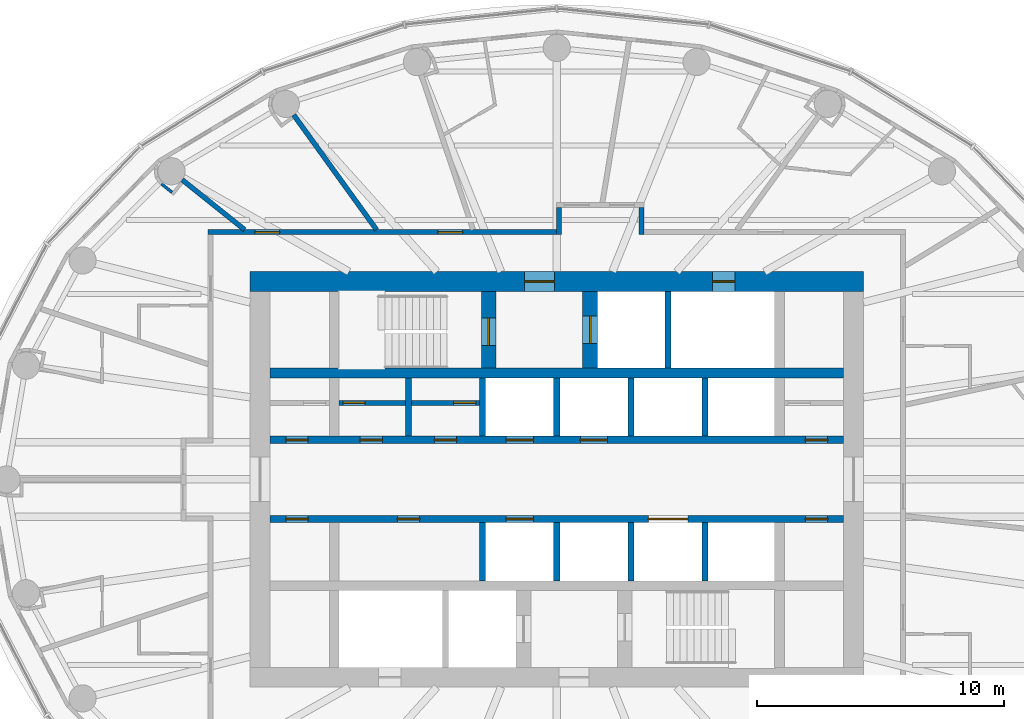
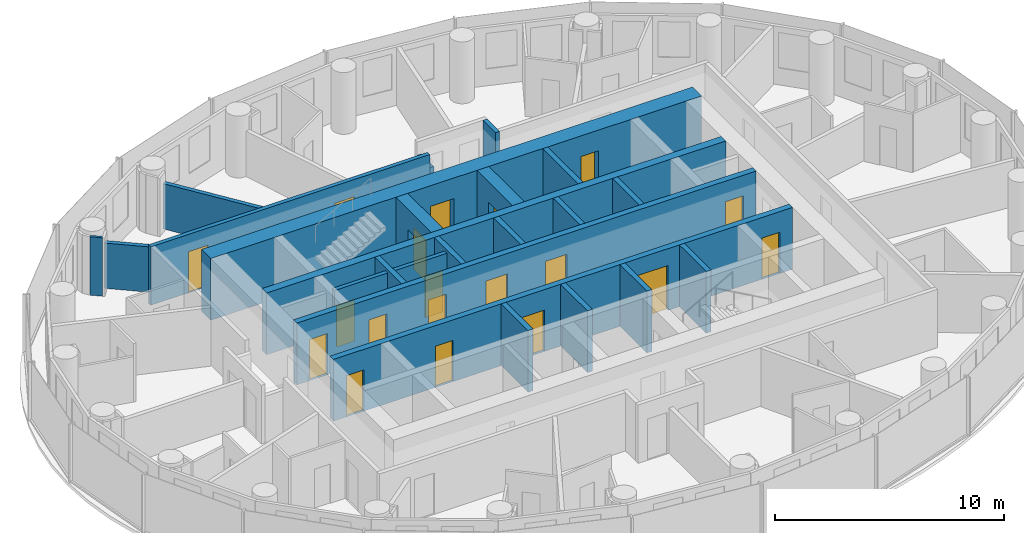
# One storey, part 9 of 13: 24 walls, 19 doors, 19 openings.
"""IFC4 building model written with IfcOpenShell, lengths in metres."""

from ifc_helpers import new_model, si_unit, direction, frame, frame_2d, origin, place, context, subcontext, project, spatial, rectangle, extrude, material, layer, layer_set, type_object, element, fill, save


model = new_model("IFC4")

# Units and contexts
model_context = context("Model", 3, precision=1e-05, world=origin(), true_north=direction((0.0, 1.0)))
body_context = subcontext(model_context, "Body", "Model", "MODEL_VIEW")
ifc_project = project(units=[si_unit("LENGTHUNIT", "METRE"), si_unit("AREAUNIT", "SQUARE_METRE"), si_unit("VOLUMEUNIT", "CUBIC_METRE"), si_unit("PLANEANGLEUNIT", "RADIAN"), si_unit("MASSUNIT", "GRAM", prefix="KILO")], contexts=[model_context])

# Site, building, storey
site_placement = place(None, origin())
site = spatial("IfcSite", under=ifc_project, at=site_placement, CompositionType="ELEMENT")
building_placement = place(site_placement, origin())
building = spatial("IfcBuilding", under=site, at=building_placement, Name="Hankou Lantern Tower", CompositionType="ELEMENT")
storey_placement = place(building_placement, frame((0.0, 0.0, 159.89990234375)))
storey = spatial("IfcBuildingStorey", under=building, at=storey_placement, Name="L42", CompositionType="ELEMENT", Elevation=159.89990234375)

# Wall, openings, doors
ifc_material_1 = material(Name="Concrete C60", Category="concrete")
ifc_layer_1 = layer(ifc_material_1, 0.800048828125)
ifc_layer_set_1 = layer_set([ifc_layer_1], Name="Concrete C60")
wall_type_1 = type_object("IfcWallType", Name="CW2 CORE WALL 800", PredefinedType="SHEAR", material=ifc_layer_set_1)
wall_1_placement = place(storey_placement, frame((-12.39990234375, 8.0, 0.0), z_axis=(0.0, 0.0, 1.0), x_axis=(1.0, 0.0, 0.0)))
wall_1 = element("IfcWall", 1, at=wall_1_placement, inside=storey, type_object=wall_type_1, Name="Core wall north L42", PredefinedType="SHEAR", context=body_context, shape_type="SweptSolid", body=[
    extrude(rectangle(XDim=24.7998046875, YDim=0.800048828125, at=frame_2d((12.39990234375, 0.0))), origin(), (0.0, 0.0, 1.0), 3.300048828125),
])
opening_1_placement = place(wall_1_placement, frame((11.10009765625, 0.0, 0.0)))
opening_1 = element("IfcOpeningElement", 2, at=opening_1_placement, cuts=wall_1, Name="Opening D5", PredefinedType="OPENING", context=body_context, shape_type="SweptSolid", body=[
    extrude(rectangle(XDim=1.199951171875, YDim=2.199951171875, at=frame_2d((0.60009765625, 1.10009765625))), frame((0.0, 0.409912109375, 0.0), z_axis=(0.0, -1.0, 0.0), x_axis=(1.0, 0.0, 0.0)), (0.0, 0.0, 1.0), 0.820068359375),
])
opening_2_placement = place(wall_1_placement, frame((18.699951171875, 0.0, 0.0)))
opening_2 = element("IfcOpeningElement", 3, at=opening_2_placement, cuts=wall_1, Name="Opening D7", PredefinedType="OPENING", context=body_context, shape_type="SweptSolid", body=[
    extrude(rectangle(XDim=0.89990234375, YDim=2.199951171875, at=frame_2d((0.449951171875, 1.10009765625))), frame((0.0, 0.409912109375, 0.0), z_axis=(0.0, -1.0, 0.0), x_axis=(1.0, 0.0, 0.0)), (0.0, 0.0, 1.0), 0.820068359375),
])
ifc_material_2 = material(Name="Steel door leaf", Category="steel")
door_type_1 = type_object("IfcDoorType", Name="D5 STAIR LOBBY DOOR 1200X2200", OperationType="SINGLE_SWING_LEFT", PredefinedType="DOOR", material=ifc_material_2)
door_1_placement = place(opening_1_placement, origin())
door_1 = element("IfcDoor", 4, at=door_1_placement, inside=storey, type_object=door_type_1, Name="Stair A lobby door", OperationType="SINGLE_SWING_LEFT", OverallHeight=2.199951171875, OverallWidth=1.199951171875, PredefinedType="DOOR", context=body_context, shape_type="SweptSolid", body=[
    extrude(rectangle(XDim=1.199951171875, YDim=2.199951171875, at=frame_2d((0.60009765625, 1.10009765625))), frame((0.0, 0.02490234375, 0.0), z_axis=(0.0, -1.0, 0.0), x_axis=(1.0, 0.0, 0.0)), (0.0, 0.0, 1.0), 0.050048828125),
])
fill(opening_1, door_1)
ifc_material_3 = material(Name="Steel door leaf", Category="steel")
door_type_2 = type_object("IfcDoorType", Name="D7 RISER DOOR 900X2200", OperationType="SINGLE_SWING_LEFT", PredefinedType="DOOR", material=ifc_material_3)
door_2_placement = place(opening_2_placement, origin())
door_2 = element("IfcDoor", 5, at=door_2_placement, inside=storey, type_object=door_type_2, Name="Riser N1 door", OperationType="SINGLE_SWING_RIGHT", OverallHeight=2.199951171875, OverallWidth=0.89990234375, PredefinedType="DOOR", context=body_context, shape_type="SweptSolid", body=[
    extrude(rectangle(XDim=0.89990234375, YDim=2.199951171875, at=frame_2d((0.449951171875, 1.10009765625))), frame((0.0, 0.02490234375, 0.0), z_axis=(0.0, -1.0, 0.0), x_axis=(1.0, 0.0, 0.0)), (0.0, 0.0, 1.0), 0.050048828125),
])
fill(opening_2, door_2)

# Wall
ifc_material_4 = material(Name="Concrete C60", Category="concrete")
ifc_layer_2 = layer(ifc_material_4, 0.39990234375)
ifc_layer_set_2 = layer_set([ifc_layer_2], Name="Concrete C60")
wall_type_2 = type_object("IfcWallType", Name="CW4 CORE CROSS WALL 400", PredefinedType="SHEAR", material=ifc_layer_set_2)
wall_2_placement = place(storey_placement, frame((-11.60009765625, 4.300048828125, 0.0), z_axis=(0.0, 0.0, 1.0), x_axis=(1.0, 0.0, 0.0)))
element("IfcWall", 6, at=wall_2_placement, inside=storey, type_object=wall_type_2, Name="Core band wall north L42", PredefinedType="SHEAR", context=body_context, shape_type="SweptSolid", body=[
    extrude(rectangle(XDim=23.2001953125, YDim=0.39990234375, at=frame_2d((11.60009765625, 0.0))), origin(), (0.0, 0.0, 1.0), 3.300048828125),
])

# Wall, openings, doors
ifc_material_5 = material(Name="Concrete C60", Category="concrete")
ifc_layer_3 = layer(ifc_material_5, 0.300048828125)
ifc_layer_set_3 = layer_set([ifc_layer_3], Name="Concrete C60")
wall_type_3 = type_object("IfcWallType", Name="CW5 LIFT LOBBY WALL 300", PredefinedType="SHEAR", material=ifc_layer_set_3)
wall_3_placement = place(storey_placement, frame((-11.60009765625, 1.60009765625, 0.0), z_axis=(0.0, 0.0, 1.0), x_axis=(1.0, 0.0, 0.0)))
wall_3 = element("IfcWall", 7, at=wall_3_placement, inside=storey, type_object=wall_type_3, Name="Lift lobby wall north L42", PredefinedType="SHEAR", context=body_context, shape_type="SweptSolid", body=[
    extrude(rectangle(XDim=23.2001953125, YDim=0.300048828125, at=frame_2d((11.60009765625, 0.0))), origin(), (0.0, 0.0, 1.0), 3.300048828125),
])
opening_3_placement = place(wall_3_placement, frame((9.550048828125, 0.0, 0.0)))
opening_3 = element("IfcOpeningElement", 8, at=opening_3_placement, cuts=wall_3, Name="Opening LD1", PredefinedType="OPENING", context=body_context, shape_type="SweptSolid", body=[
    extrude(rectangle(XDim=1.10009765625, YDim=2.199951171875, at=frame_2d((0.550048828125, 1.10009765625))), frame((0.0, 0.159912109375, 0.0), z_axis=(0.0, -1.0, 0.0), x_axis=(1.0, 0.0, 0.0)), (0.0, 0.0, 1.0), 0.320068359375),
])
opening_4_placement = place(wall_3_placement, frame((12.550048828125, 0.0, 0.0)))
opening_4 = element("IfcOpeningElement", 9, at=opening_4_placement, cuts=wall_3, Name="Opening LD1", PredefinedType="OPENING", context=body_context, shape_type="SweptSolid", body=[
    extrude(rectangle(XDim=1.10009765625, YDim=2.199951171875, at=frame_2d((0.550048828125, 1.10009765625))), frame((0.0, 0.159912109375, 0.0), z_axis=(0.0, -1.0, 0.0), x_axis=(1.0, 0.0, 0.0)), (0.0, 0.0, 1.0), 0.320068359375),
])
opening_5_placement = place(wall_3_placement, frame((0.64990234375, 0.0, 0.0)))
opening_5 = element("IfcOpeningElement", 10, at=opening_5_placement, cuts=wall_3, Name="Opening D30", PredefinedType="OPENING", context=body_context, shape_type="SweptSolid", body=[
    extrude(rectangle(XDim=0.89990234375, YDim=2.199951171875, at=frame_2d((0.449951171875, 1.10009765625))), frame((0.0, 0.159912109375, 0.0), z_axis=(0.0, -1.0, 0.0), x_axis=(1.0, 0.0, 0.0)), (0.0, 0.0, 1.0), 0.320068359375),
])
opening_6_placement = place(wall_3_placement, frame((21.64990234375, 0.0, 0.0)))
opening_6 = element("IfcOpeningElement", 11, at=opening_6_placement, cuts=wall_3, Name="Opening D30", PredefinedType="OPENING", context=body_context, shape_type="SweptSolid", body=[
    extrude(rectangle(XDim=0.89990234375, YDim=2.199951171875, at=frame_2d((0.449951171875, 1.10009765625))), frame((0.0, 0.159912109375, 0.0), z_axis=(0.0, -1.0, 0.0), x_axis=(1.0, 0.0, 0.0)), (0.0, 0.0, 1.0), 0.320068359375),
])
opening_7_placement = place(wall_3_placement, frame((3.64990234375, 0.0, 0.0)))
opening_7 = element("IfcOpeningElement", 12, at=opening_7_placement, cuts=wall_3, Name="Opening D30", PredefinedType="OPENING", context=body_context, shape_type="SweptSolid", body=[
    extrude(rectangle(XDim=0.89990234375, YDim=2.199951171875, at=frame_2d((0.449951171875, 1.10009765625))), frame((0.0, 0.159912109375, 0.0), z_axis=(0.0, -1.0, 0.0), x_axis=(1.0, 0.0, 0.0)), (0.0, 0.0, 1.0), 0.320068359375),
])
opening_8_placement = place(wall_3_placement, frame((6.64990234375, 0.0, 0.0)))
opening_8 = element("IfcOpeningElement", 13, at=opening_8_placement, cuts=wall_3, Name="Opening D30", PredefinedType="OPENING", context=body_context, shape_type="SweptSolid", body=[
    extrude(rectangle(XDim=0.89990234375, YDim=2.199951171875, at=frame_2d((0.449951171875, 1.10009765625))), frame((0.0, 0.159912109375, 0.0), z_axis=(0.0, -1.0, 0.0), x_axis=(1.0, 0.0, 0.0)), (0.0, 0.0, 1.0), 0.320068359375),
])
ifc_material_6 = material(Name="Steel door leaf", Category="steel")
door_type_3 = type_object("IfcDoorType", Name="D30 CORE ROOM DOOR 900X2200", OperationType="SINGLE_SWING_LEFT", PredefinedType="DOOR", material=ifc_material_6)
door_3_placement = place(opening_5_placement, origin())
door_3 = element("IfcDoor", 14, at=door_3_placement, inside=storey, type_object=door_type_3, Name="Engineering store door", OperationType="SINGLE_SWING_LEFT", OverallHeight=2.199951171875, OverallWidth=0.89990234375, PredefinedType="DOOR", context=body_context, shape_type="SweptSolid", body=[
    extrude(rectangle(XDim=0.89990234375, YDim=2.199951171875, at=frame_2d((0.449951171875, 1.10009765625))), frame((0.0, 0.02490234375, 0.0), z_axis=(0.0, -1.0, 0.0), x_axis=(1.0, 0.0, 0.0)), (0.0, 0.0, 1.0), 0.050048828125),
])
fill(opening_5, door_3)
door_4_placement = place(opening_6_placement, origin())
door_4 = element("IfcDoor", 15, at=door_4_placement, inside=storey, type_object=door_type_3, Name="Cleaner's store door", OperationType="SINGLE_SWING_RIGHT", OverallHeight=2.199951171875, OverallWidth=0.89990234375, PredefinedType="DOOR", context=body_context, shape_type="SweptSolid", body=[
    extrude(rectangle(XDim=0.89990234375, YDim=2.199951171875, at=frame_2d((0.449951171875, 1.10009765625))), frame((0.0, 0.02490234375, 0.0), z_axis=(0.0, -1.0, 0.0), x_axis=(1.0, 0.0, 0.0)), (0.0, 0.0, 1.0), 0.050048828125),
])
fill(opening_6, door_4)
door_5_placement = place(opening_7_placement, origin())
door_5 = element("IfcDoor", 16, at=door_5_placement, inside=storey, type_object=door_type_3, Name="Guest pantry and ice room door", OperationType="SINGLE_SWING_LEFT", OverallHeight=2.199951171875, OverallWidth=0.89990234375, PredefinedType="DOOR", context=body_context, shape_type="SweptSolid", body=[
    extrude(rectangle(XDim=0.89990234375, YDim=2.199951171875, at=frame_2d((0.449951171875, 1.10009765625))), frame((0.0, 0.02490234375, 0.0), z_axis=(0.0, -1.0, 0.0), x_axis=(1.0, 0.0, 0.0)), (0.0, 0.0, 1.0), 0.050048828125),
])
fill(opening_7, door_5)
door_6_placement = place(opening_8_placement, origin())
door_6 = element("IfcDoor", 17, at=door_6_placement, inside=storey, type_object=door_type_3, Name="Room service pantry door", OperationType="SINGLE_SWING_LEFT", OverallHeight=2.199951171875, OverallWidth=0.89990234375, PredefinedType="DOOR", context=body_context, shape_type="SweptSolid", body=[
    extrude(rectangle(XDim=0.89990234375, YDim=2.199951171875, at=frame_2d((0.449951171875, 1.10009765625))), frame((0.0, 0.02490234375, 0.0), z_axis=(0.0, -1.0, 0.0), x_axis=(1.0, 0.0, 0.0)), (0.0, 0.0, 1.0), 0.050048828125),
])
fill(opening_8, door_6)
ifc_material_7 = material(Name="Steel door leaf", Category="steel")
door_type_4 = type_object("IfcDoorType", Name="LD1 LIFT LANDING DOOR 1100X2200", OperationType="DOUBLE_DOOR_SLIDING", PredefinedType="DOOR", material=ifc_material_7)
door_7_placement = place(opening_3_placement, origin())
door_7 = element("IfcDoor", 18, at=door_7_placement, inside=storey, type_object=door_type_4, Name="Lift H1 landing door", OperationType="DOUBLE_DOOR_SLIDING", OverallHeight=2.199951171875, OverallWidth=1.10009765625, PredefinedType="DOOR", context=body_context, shape_type="SweptSolid", body=[
    extrude(rectangle(XDim=1.10009765625, YDim=2.199951171875, at=frame_2d((0.550048828125, 1.10009765625))), frame((0.0, 0.02490234375, 0.0), z_axis=(0.0, -1.0, 0.0), x_axis=(1.0, 0.0, 0.0)), (0.0, 0.0, 1.0), 0.050048828125),
])
fill(opening_3, door_7)
door_8_placement = place(opening_4_placement, origin())
door_8 = element("IfcDoor", 19, at=door_8_placement, inside=storey, type_object=door_type_4, Name="Lift H2 landing door", OperationType="DOUBLE_DOOR_SLIDING", OverallHeight=2.199951171875, OverallWidth=1.10009765625, PredefinedType="DOOR", context=body_context, shape_type="SweptSolid", body=[
    extrude(rectangle(XDim=1.10009765625, YDim=2.199951171875, at=frame_2d((0.550048828125, 1.10009765625))), frame((0.0, 0.02490234375, 0.0), z_axis=(0.0, -1.0, 0.0), x_axis=(1.0, 0.0, 0.0)), (0.0, 0.0, 1.0), 0.050048828125),
])
fill(opening_4, door_8)

wall_4_placement = place(storey_placement, frame((-11.60009765625, -1.60009765625, 0.0), z_axis=(0.0, 0.0, 1.0), x_axis=(1.0, 0.0, 0.0)))
wall_4 = element("IfcWall", 20, at=wall_4_placement, inside=storey, type_object=wall_type_3, Name="Lift lobby wall south L42", PredefinedType="SHEAR", context=body_context, shape_type="SweptSolid", body=[
    extrude(rectangle(XDim=23.2001953125, YDim=0.300048828125, at=frame_2d((11.60009765625, 0.0))), origin(), (0.0, 0.0, 1.0), 3.300048828125),
])
opening_9_placement = place(wall_4_placement, frame((9.550048828125, 0.0, 0.0)))
opening_9 = element("IfcOpeningElement", 21, at=opening_9_placement, cuts=wall_4, Name="Opening LD1", PredefinedType="OPENING", context=body_context, shape_type="SweptSolid", body=[
    extrude(rectangle(XDim=1.10009765625, YDim=2.199951171875, at=frame_2d((0.550048828125, 1.10009765625))), frame((0.0, 0.159912109375, 0.0), z_axis=(0.0, -1.0, 0.0), x_axis=(1.0, 0.0, 0.0)), (0.0, 0.0, 1.0), 0.320068359375),
])
opening_10_placement = place(wall_4_placement, frame((15.300048828125, 0.0, 0.0)))
opening_10 = element("IfcOpeningElement", 22, at=opening_10_placement, cuts=wall_4, Name="Opening LD4", PredefinedType="OPENING", context=body_context, shape_type="SweptSolid", body=[
    extrude(rectangle(XDim=1.60009765625, YDim=2.39990234375, at=frame_2d((0.800048828125, 1.199951171875))), frame((0.0, 0.159912109375, 0.0), z_axis=(0.0, -1.0, 0.0), x_axis=(1.0, 0.0, 0.0)), (0.0, 0.0, 1.0), 0.320068359375),
])
opening_11_placement = place(wall_4_placement, frame((0.64990234375, 0.0, 0.0)))
opening_11 = element("IfcOpeningElement", 23, at=opening_11_placement, cuts=wall_4, Name="Opening D30", PredefinedType="OPENING", context=body_context, shape_type="SweptSolid", body=[
    extrude(rectangle(XDim=0.89990234375, YDim=2.199951171875, at=frame_2d((0.449951171875, 1.10009765625))), frame((0.0, 0.159912109375, 0.0), z_axis=(0.0, -1.0, 0.0), x_axis=(1.0, 0.0, 0.0)), (0.0, 0.0, 1.0), 0.320068359375),
])
opening_12_placement = place(wall_4_placement, frame((5.14990234375, 0.0, 0.0)))
opening_12 = element("IfcOpeningElement", 24, at=opening_12_placement, cuts=wall_4, Name="Opening D30", PredefinedType="OPENING", context=body_context, shape_type="SweptSolid", body=[
    extrude(rectangle(XDim=0.89990234375, YDim=2.199951171875, at=frame_2d((0.449951171875, 1.10009765625))), frame((0.0, 0.159912109375, 0.0), z_axis=(0.0, -1.0, 0.0), x_axis=(1.0, 0.0, 0.0)), (0.0, 0.0, 1.0), 0.320068359375),
])
opening_13_placement = place(wall_4_placement, frame((21.64990234375, 0.0, 0.0)))
opening_13 = element("IfcOpeningElement", 25, at=opening_13_placement, cuts=wall_4, Name="Opening D30", PredefinedType="OPENING", context=body_context, shape_type="SweptSolid", body=[
    extrude(rectangle(XDim=0.89990234375, YDim=2.199951171875, at=frame_2d((0.449951171875, 1.10009765625))), frame((0.0, 0.159912109375, 0.0), z_axis=(0.0, -1.0, 0.0), x_axis=(1.0, 0.0, 0.0)), (0.0, 0.0, 1.0), 0.320068359375),
])
door_9_placement = place(opening_11_placement, origin())
door_9 = element("IfcDoor", 26, at=door_9_placement, inside=storey, type_object=door_type_3, Name="Minibar store door", OperationType="SINGLE_SWING_LEFT", OverallHeight=2.199951171875, OverallWidth=0.89990234375, PredefinedType="DOOR", context=body_context, shape_type="SweptSolid", body=[
    extrude(rectangle(XDim=0.89990234375, YDim=2.199951171875, at=frame_2d((0.449951171875, 1.10009765625))), frame((0.0, 0.02490234375, 0.0), z_axis=(0.0, -1.0, 0.0), x_axis=(1.0, 0.0, 0.0)), (0.0, 0.0, 1.0), 0.050048828125),
])
fill(opening_11, door_9)
door_10_placement = place(opening_12_placement, origin())
door_10 = element("IfcDoor", 27, at=door_10_placement, inside=storey, type_object=door_type_3, Name="Housekeeping and linen store door", OperationType="SINGLE_SWING_LEFT", OverallHeight=2.199951171875, OverallWidth=0.89990234375, PredefinedType="DOOR", context=body_context, shape_type="SweptSolid", body=[
    extrude(rectangle(XDim=0.89990234375, YDim=2.199951171875, at=frame_2d((0.449951171875, 1.10009765625))), frame((0.0, 0.02490234375, 0.0), z_axis=(0.0, -1.0, 0.0), x_axis=(1.0, 0.0, 0.0)), (0.0, 0.0, 1.0), 0.050048828125),
])
fill(opening_12, door_10)
door_11_placement = place(opening_13_placement, origin())
door_11 = element("IfcDoor", 28, at=door_11_placement, inside=storey, type_object=door_type_3, Name="Vending room door", OperationType="SINGLE_SWING_RIGHT", OverallHeight=2.199951171875, OverallWidth=0.89990234375, PredefinedType="DOOR", context=body_context, shape_type="SweptSolid", body=[
    extrude(rectangle(XDim=0.89990234375, YDim=2.199951171875, at=frame_2d((0.449951171875, 1.10009765625))), frame((0.0, 0.02490234375, 0.0), z_axis=(0.0, -1.0, 0.0), x_axis=(1.0, 0.0, 0.0)), (0.0, 0.0, 1.0), 0.050048828125),
])
fill(opening_13, door_11)
door_12_placement = place(opening_9_placement, origin())
door_12 = element("IfcDoor", 29, at=door_12_placement, inside=storey, type_object=door_type_4, Name="Lift H3 landing door", OperationType="DOUBLE_DOOR_SLIDING", OverallHeight=2.199951171875, OverallWidth=1.10009765625, PredefinedType="DOOR", context=body_context, shape_type="SweptSolid", body=[
    extrude(rectangle(XDim=1.10009765625, YDim=2.199951171875, at=frame_2d((0.550048828125, 1.10009765625))), frame((0.0, 0.02490234375, 0.0), z_axis=(0.0, -1.0, 0.0), x_axis=(1.0, 0.0, 0.0)), (0.0, 0.0, 1.0), 0.050048828125),
])
fill(opening_9, door_12)
ifc_material_8 = material(Name="Steel door leaf", Category="steel")
door_type_5 = type_object("IfcDoorType", Name="LD4 SERVICE LIFT LANDING DOOR 1600X2400", OperationType="DOUBLE_DOOR_SLIDING", PredefinedType="DOOR", material=ifc_material_8)
door_13_placement = place(opening_10_placement, origin())
door_13 = element("IfcDoor", 30, at=door_13_placement, inside=storey, type_object=door_type_5, Name="Lift SV1 landing door", OperationType="DOUBLE_DOOR_SLIDING", OverallHeight=2.39990234375, OverallWidth=1.60009765625, PredefinedType="DOOR", context=body_context, shape_type="SweptSolid", body=[
    extrude(rectangle(XDim=1.60009765625, YDim=2.39990234375, at=frame_2d((0.800048828125, 1.199951171875))), frame((0.0, 0.02490234375, 0.0), z_axis=(0.0, -1.0, 0.0), x_axis=(1.0, 0.0, 0.0)), (0.0, 0.0, 1.0), 0.050048828125),
])
fill(opening_10, door_13)

# Wall, opening, door
ifc_material_9 = material(Name="Concrete C60", Category="concrete")
ifc_layer_4 = layer(ifc_material_9, 0.60009765625)
ifc_layer_set_4 = layer_set([ifc_layer_4], Name="Concrete C60")
wall_type_4 = type_object("IfcWallType", Name="CW6 STAIR AND SHAFT WALL 600", PredefinedType="SHEAR", material=ifc_layer_set_4)
wall_5_placement = place(storey_placement, frame((-2.75, 4.5, 0.0), z_axis=(0.0, 0.0, 1.0), x_axis=(0.0, 1.0, 0.0)))
wall_5 = element("IfcWall", 31, at=wall_5_placement, inside=storey, type_object=wall_type_4, Name="Stair wall L42", PredefinedType="SHEAR", context=body_context, shape_type="SweptSolid", body=[
    extrude(rectangle(XDim=3.10009765625, YDim=0.60009765625, at=frame_2d((1.550048828125, 0.0))), origin(), (0.0, 0.0, 1.0), 3.300048828125),
])
opening_14_placement = place(wall_5_placement, frame((0.925048828125, 0.0, 0.0)))
opening_14 = element("IfcOpeningElement", 32, at=opening_14_placement, cuts=wall_5, Name="Opening D4", PredefinedType="OPENING", context=body_context, shape_type="SweptSolid", body=[
    extrude(rectangle(XDim=1.10009765625, YDim=2.199951171875, at=frame_2d((0.550048828125, 1.10009765625))), frame((0.0, 0.31005859375, 0.0), z_axis=(0.0, -1.0, 0.0), x_axis=(1.0, 0.0, 0.0)), (0.0, 0.0, 1.0), 0.6201171875),
])
ifc_material_10 = material(Name="Steel door leaf", Category="steel")
door_type_6 = type_object("IfcDoorType", Name="D4 STAIR DOOR 1100X2200", OperationType="SINGLE_SWING_LEFT", PredefinedType="DOOR", material=ifc_material_10)
door_14_placement = place(opening_14_placement, origin())
door_14 = element("IfcDoor", 33, at=door_14_placement, inside=storey, type_object=door_type_6, Name="Stair A door", OperationType="SINGLE_SWING_LEFT", OverallHeight=2.199951171875, OverallWidth=1.10009765625, PredefinedType="DOOR", context=body_context, shape_type="SweptSolid", body=[
    extrude(rectangle(XDim=1.10009765625, YDim=2.199951171875, at=frame_2d((0.550048828125, 1.10009765625))), frame((0.0, 0.02490234375, 0.0), z_axis=(0.0, -1.0, 0.0), x_axis=(1.0, 0.0, 0.0)), (0.0, 0.0, 1.0), 0.050048828125),
])
fill(opening_14, door_14)

wall_6_placement = place(storey_placement, frame((1.35009765625, 4.5, 0.0), z_axis=(0.0, 0.0, 1.0), x_axis=(0.0, 1.0, 0.0)))
wall_6 = element("IfcWall", 34, at=wall_6_placement, inside=storey, type_object=wall_type_4, Name="Firefighting lift shaft wall L42", PredefinedType="SHEAR", context=body_context, shape_type="SweptSolid", body=[
    extrude(rectangle(XDim=3.10009765625, YDim=0.60009765625, at=frame_2d((1.550048828125, 0.0))), origin(), (0.0, 0.0, 1.0), 3.300048828125),
])
opening_15_placement = place(wall_6_placement, frame((1.0, 0.0, 0.0)))
opening_15 = element("IfcOpeningElement", 35, at=opening_15_placement, cuts=wall_6, Name="Opening LD2", PredefinedType="OPENING", context=body_context, shape_type="SweptSolid", body=[
    extrude(rectangle(XDim=1.10009765625, YDim=2.199951171875, at=frame_2d((0.550048828125, 1.10009765625))), frame((0.0, 0.31005859375, 0.0), z_axis=(0.0, -1.0, 0.0), x_axis=(1.0, 0.0, 0.0)), (0.0, 0.0, 1.0), 0.6201171875),
])
ifc_material_11 = material(Name="Steel door leaf", Category="steel")
door_type_7 = type_object("IfcDoorType", Name="LD2 FIREFIGHTING LIFT LANDING DOOR 1100X2200", OperationType="DOUBLE_DOOR_SLIDING", PredefinedType="DOOR", material=ifc_material_11)
door_15_placement = place(opening_15_placement, origin())
door_15 = element("IfcDoor", 36, at=door_15_placement, inside=storey, type_object=door_type_7, Name="Firefighting lift FL1 landing door", OperationType="DOUBLE_DOOR_SLIDING", OverallHeight=2.199951171875, OverallWidth=1.10009765625, PredefinedType="DOOR", context=body_context, shape_type="SweptSolid", body=[
    extrude(rectangle(XDim=1.10009765625, YDim=2.199951171875, at=frame_2d((0.550048828125, 1.10009765625))), frame((0.0, 0.02490234375, 0.0), z_axis=(0.0, -1.0, 0.0), x_axis=(1.0, 0.0, 0.0)), (0.0, 0.0, 1.0), 0.050048828125),
])
fill(opening_15, door_15)

# Walls
ifc_material_12 = material(Name="Masonry lightweight concrete block", Category="masonry")
ifc_layer_5 = layer(ifc_material_12, 0.199951171875)
ifc_layer_set_5 = layer_set([ifc_layer_5], Name="Masonry lightweight concrete block")
wall_type_5 = type_object("IfcWallType", Name="IW2 CORRIDOR WALL 200", PredefinedType="PARTITIONING", material=ifc_layer_set_5)
wall_7_placement = place(storey_placement, frame((0.093994140625, 9.89990234375, 0.0), z_axis=(0.0, 0.0, 1.0), x_axis=(0.0, 1.0, 0.0)))
element("IfcWall", 37, at=wall_7_placement, inside=storey, type_object=wall_type_5, Name="Corridor alcove wall 4214-4215 left", PredefinedType="PARTITIONING", context=body_context, shape_type="SweptSolid", body=[
    extrude(rectangle(XDim=1.10009765625, YDim=0.199951171875, at=frame_2d((0.550048828125, 0.0))), origin(), (0.0, 0.0, 1.0), 2.420166015625),
])
wall_8_placement = place(storey_placement, frame((3.418212890625, 9.89990234375, 0.0), z_axis=(0.0, 0.0, 1.0), x_axis=(0.0, 1.0, 0.0)))
element("IfcWall", 38, at=wall_8_placement, inside=storey, type_object=wall_type_5, Name="Corridor alcove wall 4214-4215 right", PredefinedType="PARTITIONING", context=body_context, shape_type="SweptSolid", body=[
    extrude(rectangle(XDim=1.10009765625, YDim=0.199951171875, at=frame_2d((0.550048828125, 0.0))), origin(), (0.0, 0.0, 1.0), 3.1201171875),
])

# Wall, openings, doors
wall_9_placement = place(storey_placement, frame((-14.10009765625, 10.0, 0.0), z_axis=(0.0, 0.0, 1.0), x_axis=(1.0, 0.0, 0.0)))
wall_9 = element("IfcWall", 39, at=wall_9_placement, inside=storey, type_object=wall_type_5, Name="Corridor wall north", PredefinedType="PARTITIONING", context=body_context, shape_type="SweptSolid", body=[
    extrude(rectangle(XDim=14.09423828125, YDim=0.199951171875, at=frame_2d((7.047119140625, 0.0))), origin(), (0.0, 0.0, 1.0), 3.1201171875),
])
opening_16_placement = place(wall_9_placement, frame((1.89501953125, 0.0, 0.0)))
opening_16 = element("IfcOpeningElement", 40, at=opening_16_placement, cuts=wall_9, Name="Opening D28", PredefinedType="OPENING", context=body_context, shape_type="SweptSolid", body=[
    extrude(rectangle(XDim=1.0, YDim=2.199951171875, at=frame_2d((0.5, 1.10009765625))), frame((0.0, 0.10986328125, 0.0), z_axis=(0.0, -1.0, 0.0), x_axis=(1.0, 0.0, 0.0)), (0.0, 0.0, 1.0), 0.219970703125),
])
opening_17_placement = place(wall_9_placement, frame((9.297119140625, 0.0, 0.0)))
opening_17 = element("IfcOpeningElement", 41, at=opening_17_placement, cuts=wall_9, Name="Opening D28", PredefinedType="OPENING", context=body_context, shape_type="SweptSolid", body=[
    extrude(rectangle(XDim=1.0, YDim=2.199951171875, at=frame_2d((0.5, 1.10009765625))), frame((0.0, 0.10986328125, 0.0), z_axis=(0.0, -1.0, 0.0), x_axis=(1.0, 0.0, 0.0)), (0.0, 0.0, 1.0), 0.219970703125),
])
ifc_material_13 = material(Name="Steel door leaf", Category="steel")
door_type_8 = type_object("IfcDoorType", Name="D28 SERVICE DOOR 1000X2200", OperationType="SINGLE_SWING_LEFT", PredefinedType="DOOR", material=ifc_material_13)
door_16_placement = place(opening_16_placement, origin())
door_16 = element("IfcDoor", 42, at=door_16_placement, inside=storey, type_object=door_type_8, Name="Service door 4201", OperationType="SINGLE_SWING_RIGHT", OverallHeight=2.199951171875, OverallWidth=1.0, PredefinedType="DOOR", context=body_context, shape_type="SweptSolid", body=[
    extrude(rectangle(XDim=1.0, YDim=2.199951171875, at=frame_2d((0.5, 1.10009765625))), frame((0.0, 0.02490234375, 0.0), z_axis=(0.0, -1.0, 0.0), x_axis=(1.0, 0.0, 0.0)), (0.0, 0.0, 1.0), 0.050048828125),
])
fill(opening_16, door_16)
door_17_placement = place(opening_17_placement, origin())
door_17 = element("IfcDoor", 43, at=door_17_placement, inside=storey, type_object=door_type_8, Name="Service door 4216", OperationType="SINGLE_SWING_RIGHT", OverallHeight=2.199951171875, OverallWidth=1.0, PredefinedType="DOOR", context=body_context, shape_type="SweptSolid", body=[
    extrude(rectangle(XDim=1.0, YDim=2.199951171875, at=frame_2d((0.5, 1.10009765625))), frame((0.0, 0.02490234375, 0.0), z_axis=(0.0, -1.0, 0.0), x_axis=(1.0, 0.0, 0.0)), (0.0, 0.0, 1.0), 0.050048828125),
])
fill(opening_17, door_17)

# Walls
ifc_material_14 = material(Name="Masonry lightweight concrete block", Category="masonry")
ifc_layer_6 = layer(ifc_material_14, 0.1201171875)
ifc_layer_set_6 = layer_set([ifc_layer_6], Name="Masonry lightweight concrete block")
wall_type_6 = type_object("IfcWallType", Name="IW4 PARTITION 120", PredefinedType="PARTITIONING", material=ifc_layer_set_6)
wall_10_placement = place(storey_placement, frame((-15.55419921875, 11.60791015625, 0.0), z_axis=(0.0, 0.0, 1.0), x_axis=(-0.780695577787, 0.624911525597, 0.0)))
element("IfcWall", 44, at=wall_10_placement, inside=storey, type_object=wall_type_6, Name="Column casing R10", PredefinedType="PARTITIONING", context=body_context, shape_type="SweptSolid", body=[
    extrude(rectangle(XDim=0.550048828125, YDim=0.1201171875, at=frame_2d((0.27490234375, 0.0))), origin(), (0.0, 0.0, 1.0), 3.1201171875),
])
ifc_material_15 = material(Name="Masonry lightweight concrete block", Category="masonry")
ifc_layer_7 = layer(ifc_material_15, 0.199951171875)
ifc_layer_set_7 = layer_set([ifc_layer_7], Name="Masonry lightweight concrete block")
wall_type_7 = type_object("IfcWallType", Name="IW8 PARTITION 200", PredefinedType="PARTITIONING", material=ifc_layer_set_7)
wall_11_placement = place(storey_placement, frame((-7.2890625, 10.10009765625, 0.0), z_axis=(0.0, 0.0, 1.0), x_axis=(-0.585222595178, 0.810872686735, 0.0)))
element("IfcWall", 45, at=wall_11_placement, inside=storey, type_object=wall_type_7, Name="Partition R09", PredefinedType="PARTITIONING", context=body_context, shape_type="SweptSolid", body=[
    extrude(rectangle(XDim=5.722412109375, YDim=0.199951171875, at=frame_2d((2.861328125, 0.0))), origin(), (0.0, 0.0, 1.0), 2.420166015625),
])
wall_12_placement = place(storey_placement, frame((-12.625, 10.10009765625, 0.0), z_axis=(0.0, 0.0, 1.0), x_axis=(-0.780876185034, 0.624685827954, 0.0)))
element("IfcWall", 46, at=wall_12_placement, inside=storey, type_object=wall_type_7, Name="Partition R10", PredefinedType="PARTITIONING", context=body_context, shape_type="SweptSolid", body=[
    extrude(rectangle(XDim=3.229248046875, YDim=0.199951171875, at=frame_2d((1.61474609375, 0.0))), origin(), (0.0, 0.0, 1.0), 2.420166015625),
])

# Wall, opening, door
wall_13_placement = place(storey_placement, frame((-8.800048828125, 3.10009765625, 0.0), z_axis=(0.0, 0.0, 1.0), x_axis=(1.0, 0.0, 0.0)))
wall_13 = element("IfcWall", 47, at=wall_13_placement, inside=storey, type_object=wall_type_7, Name="Partition guest pantry and ice room", PredefinedType="PARTITIONING", context=body_context, shape_type="SweptSolid", body=[
    extrude(rectangle(XDim=2.675048828125, YDim=0.199951171875, at=frame_2d((1.33740234375, 0.0))), origin(), (0.0, 0.0, 1.0), 3.1201171875),
])
opening_18_placement = place(wall_13_placement, frame((0.14990234375, 0.0, 0.0)))
opening_18 = element("IfcOpeningElement", 48, at=opening_18_placement, cuts=wall_13, Name="Opening D12", PredefinedType="OPENING", context=body_context, shape_type="SweptSolid", body=[
    extrude(rectangle(XDim=0.89990234375, YDim=2.199951171875, at=frame_2d((0.449951171875, 1.10009765625))), frame((0.0, 0.10986328125, 0.0), z_axis=(0.0, -1.0, 0.0), x_axis=(1.0, 0.0, 0.0)), (0.0, 0.0, 1.0), 0.219970703125),
])
ifc_material_16 = material(Name="Steel door leaf", Category="steel")
door_type_9 = type_object("IfcDoorType", Name="D12 STORE DOOR 900X2200", OperationType="SINGLE_SWING_LEFT", PredefinedType="DOOR", material=ifc_material_16)
door_18_placement = place(opening_18_placement, origin())
door_18 = element("IfcDoor", 49, at=door_18_placement, inside=storey, type_object=door_type_9, Name="Ice machine cupboard door", OperationType="SINGLE_SWING_LEFT", OverallHeight=2.199951171875, OverallWidth=0.89990234375, PredefinedType="DOOR", context=body_context, shape_type="SweptSolid", body=[
    extrude(rectangle(XDim=0.89990234375, YDim=2.199951171875, at=frame_2d((0.449951171875, 1.10009765625))), frame((0.0, 0.02490234375, 0.0), z_axis=(0.0, -1.0, 0.0), x_axis=(1.0, 0.0, 0.0)), (0.0, 0.0, 1.0), 0.050048828125),
])
fill(opening_18, door_18)

wall_14_placement = place(storey_placement, frame((-5.875, 3.10009765625, 0.0), z_axis=(0.0, 0.0, 1.0), x_axis=(1.0, 0.0, 0.0)))
wall_14 = element("IfcWall", 50, at=wall_14_placement, inside=storey, type_object=wall_type_7, Name="Partition room service pantry", PredefinedType="PARTITIONING", context=body_context, shape_type="SweptSolid", body=[
    extrude(rectangle(XDim=2.75, YDim=0.199951171875, at=frame_2d((1.375, 0.0))), origin(), (0.0, 0.0, 1.0), 3.1201171875),
])
opening_19_placement = place(wall_14_placement, frame((1.699951171875, 0.0, 0.0)))
opening_19 = element("IfcOpeningElement", 51, at=opening_19_placement, cuts=wall_14, Name="Opening D12", PredefinedType="OPENING", context=body_context, shape_type="SweptSolid", body=[
    extrude(rectangle(XDim=0.89990234375, YDim=2.199951171875, at=frame_2d((0.449951171875, 1.10009765625))), frame((0.0, 0.10986328125, 0.0), z_axis=(0.0, -1.0, 0.0), x_axis=(1.0, 0.0, 0.0)), (0.0, 0.0, 1.0), 0.219970703125),
])
door_19_placement = place(opening_19_placement, origin())
door_19 = element("IfcDoor", 52, at=door_19_placement, inside=storey, type_object=door_type_9, Name="Room service cupboard door", OperationType="SINGLE_SWING_RIGHT", OverallHeight=2.199951171875, OverallWidth=0.89990234375, PredefinedType="DOOR", context=body_context, shape_type="SweptSolid", body=[
    extrude(rectangle(XDim=0.89990234375, YDim=2.199951171875, at=frame_2d((0.449951171875, 1.10009765625))), frame((0.0, 0.02490234375, 0.0), z_axis=(0.0, -1.0, 0.0), x_axis=(1.0, 0.0, 0.0)), (0.0, 0.0, 1.0), 0.050048828125),
])
fill(opening_19, door_19)

# Walls
ifc_material_17 = material(Name="Masonry autoclaved aerated concrete block", Category="masonry")
ifc_layer_8 = layer(ifc_material_17, 0.25)
ifc_layer_set_8 = layer_set([ifc_layer_8], Name="Masonry autoclaved aerated concrete block")
wall_type_8 = type_object("IfcWallType", Name="SW1 SHAFT BLOCK WALL 250", PredefinedType="PARTITIONING", material=ifc_layer_set_8)
wall_15_placement = place(storey_placement, frame((4.5, 4.5, 0.0), z_axis=(0.0, 0.0, 1.0), x_axis=(0.0, 1.0, 0.0)))
element("IfcWall", 53, at=wall_15_placement, inside=storey, type_object=wall_type_8, Name="Riser wall L42", PredefinedType="PARTITIONING", context=body_context, shape_type="SweptSolid", body=[
    extrude(rectangle(XDim=3.10009765625, YDim=0.25, at=frame_2d((1.550048828125, 0.0))), origin(), (0.0, 0.0, 1.0), 3.300048828125),
])
for number, where, z_axis, x_axis, name in (
    (54, (-6.0, 1.75, 0.0), (0.0, 0.0, 1.0), (0.0, 1.0, 0.0), "Lift shaft wall L42"),
    (55, (-3.0, 1.75, 0.0), (0.0, 0.0, 1.0), (0.0, 1.0, 0.0), "Lift shaft wall L42"),
    (56, (0.0, 1.75, 0.0), (0.0, 0.0, 1.0), (0.0, 1.0, 0.0), "Lift shaft wall L42"),
    (57, (3.0, 1.75, 0.0), (0.0, 0.0, 1.0), (0.0, 1.0, 0.0), "Lift shaft wall L42"),
    (58, (6.0, 1.75, 0.0), (0.0, 0.0, 1.0), (0.0, 1.0, 0.0), "Lift shaft wall L42"),
    (59, (-3.0, -4.10009765625, 0.0), (0.0, 0.0, 1.0), (0.0, 1.0, 0.0), "Lift shaft wall L42"),
    (60, (0.0, -4.10009765625, 0.0), (0.0, 0.0, 1.0), (0.0, 1.0, 0.0), "Lift shaft wall L42"),
    (61, (3.0, -4.10009765625, 0.0), (0.0, 0.0, 1.0), (0.0, 1.0, 0.0), "Lift shaft wall L42"),
    (62, (6.0, -4.10009765625, 0.0), (0.0, 0.0, 1.0), (0.0, 1.0, 0.0), "Lift shaft wall L42"),
):
    element("IfcWall", number, at=place(storey_placement, frame(where, z_axis=z_axis, x_axis=x_axis)), inside=storey, type_object=wall_type_8, Name=name, PredefinedType="PARTITIONING", context=body_context, shape_type="SweptSolid", body=[
        extrude(rectangle(XDim=2.35009765625, YDim=0.25, at=frame_2d((1.175048828125, 0.0))), origin(), (0.0, 0.0, 1.0), 3.300048828125),
    ])

save(model, "model.ifc")
